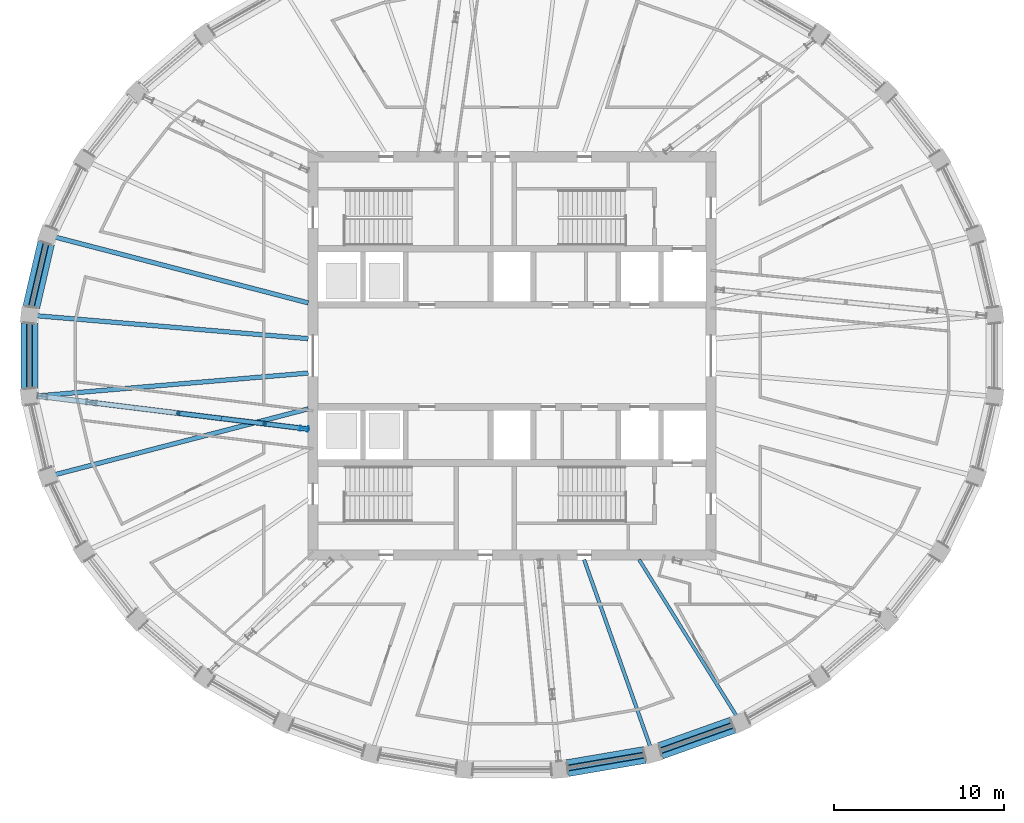
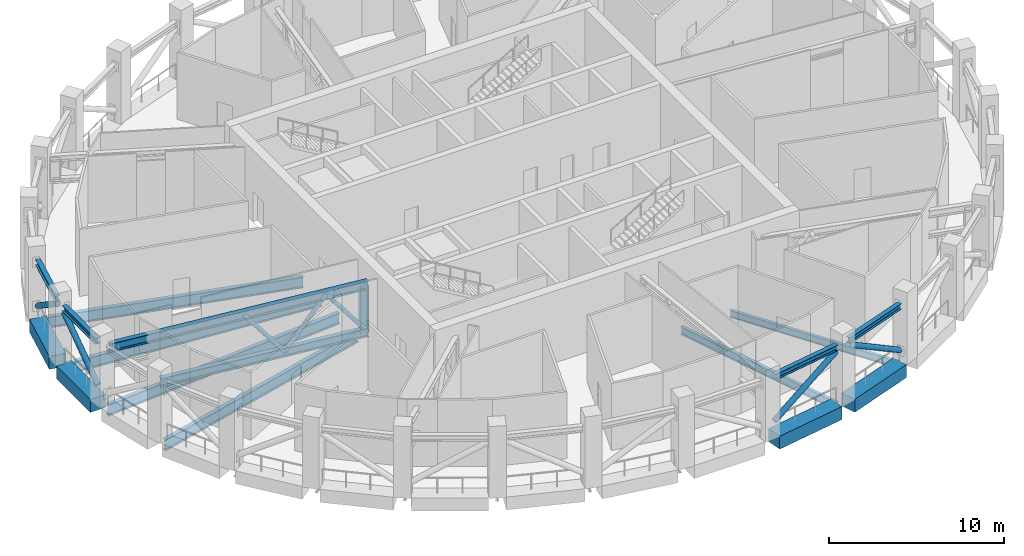
# One storey, part 3 of 20: 14 members, 10 beams.
"""IFC4 building model written with IfcOpenShell, lengths in metres."""

import ifcopenshell
import ifcopenshell.guid

model = None  # the IFC model being written
_history = None  # IfcOwnerHistory: only IFC2X3 demands one
_inside = {}  # id of a spatial element -> (the spatial element, [elements in it])
_under = {}  # id of a project, library or spatial element -> (it, [spatial elements below it])
_declared = {}  # id of a project -> (the project, [libraries it declares])
_typed = {}  # id of a type object -> (the type object, [elements of that type])
_made_of = {}  # id of a material, layer set ... -> (it, [elements and type objects made of it])


def new_model(schema):
    """Start an empty IFC model of exactly this schema.

    Asked for "IFC4X3", IfcOpenShell would pick the latest addendum, in which some entities
    have other attributes; the version numbers below select the first issue.
    IFC2X3 requires an IfcOwnerHistory on every rooted entity: one is made here for all.
    """
    global model, _history
    if schema == "IFC4X3":
        model = ifcopenshell.file(schema_version=(4, 3, 0, 0))
    else:
        model = ifcopenshell.file(schema=schema)
    _inside.clear()
    _under.clear()
    _declared.clear()
    _typed.clear()
    _made_of.clear()
    _history = None
    if model.schema == "IFC2X3":
        org = make("IfcOrganization", Name="unknown")
        user = make(
            "IfcPersonAndOrganization",
            ThePerson=make("IfcPerson", FamilyName="unknown"),
            TheOrganization=org,
        )
        app = make(
            "IfcApplication",
            ApplicationDeveloper=org,
            Version="unknown",
            ApplicationFullName="unknown",
            ApplicationIdentifier="unknown",
        )
        _history = make(
            "IfcOwnerHistory",
            OwningUser=user,
            OwningApplication=app,
            ChangeAction="ADDED",
            CreationDate=0,
        )
    return model


def make(cls, **values):
    """One entity of the class cls with the attributes given. An attribute that is None is left unset."""
    return model.create_entity(
        cls, **{name: value for name, value in values.items() if value is not None}
    )


def rooted(cls, **values):
    """An entity with a GlobalId (a new one), such as an element, a storey or a relation."""
    return make(cls, GlobalId=ifcopenshell.guid.new(), OwnerHistory=_history, **values)


def si_unit(unit_type, name, prefix=None):
    """IfcSIUnit, for example si_unit("LENGTHUNIT", "METRE", prefix="MILLI")."""
    return make("IfcSIUnit", UnitType=unit_type, Prefix=prefix, Name=name)


def assignment(units):
    """IfcUnitAssignment: the units of a project."""
    return None if units is None else make("IfcUnitAssignment", Units=units)


def point(xyz):
    """IfcCartesianPoint."""
    return None if xyz is None else make("IfcCartesianPoint", Coordinates=xyz)


def direction(xyz):
    """IfcDirection."""
    return None if xyz is None else make("IfcDirection", DirectionRatios=xyz)


def frame(location, z_axis=None, x_axis=None):
    """IfcAxis2Placement3D, a coordinate frame: its origin and axes. An axis left out is left unset."""
    return make(
        "IfcAxis2Placement3D",
        Location=point(location),
        Axis=direction(z_axis),
        RefDirection=direction(x_axis),
    )


def frame_2d(location, x_axis=None):
    """IfcAxis2Placement2D, a coordinate frame in the plane: its origin and x axis."""
    return make(
        "IfcAxis2Placement2D", Location=point(location), RefDirection=direction(x_axis)
    )


def origin():
    """The frame at (0, 0, 0) with its axes left unset."""
    return frame((0.0, 0.0, 0.0))


def origin_2d():
    """The frame at (0, 0) in the plane with its x axis left unset."""
    return frame_2d((0.0, 0.0))


def place(relative_to, where):
    """IfcLocalPlacement: puts the frame where relative to a parent placement (None: the world)."""
    return make(
        "IfcLocalPlacement", PlacementRelTo=relative_to, RelativePlacement=where
    )


def context(
    kind, dimensions, precision=None, world=None, true_north=None, identifier=None
):
    """IfcGeometricRepresentationContext, for example the 3D "Model" context."""
    return make(
        "IfcGeometricRepresentationContext",
        ContextIdentifier=identifier,
        ContextType=kind,
        CoordinateSpaceDimension=dimensions,
        Precision=precision,
        WorldCoordinateSystem=world,
        TrueNorth=true_north,
    )


def subcontext(parent, identifier, kind, view, scale=None):
    """IfcGeometricRepresentationSubContext, for example "Body" below "Model"."""
    return make(
        "IfcGeometricRepresentationSubContext",
        ContextIdentifier=identifier,
        ContextType=kind,
        ParentContext=parent,
        TargetScale=scale,
        TargetView=view,
    )


def project(units=None, contexts=None):
    """IfcProject with its units and contexts."""
    return rooted(
        "IfcProject",
        Name="project",
        RepresentationContexts=contexts,
        UnitsInContext=assignment(units),
    )


def spatial(cls, under=None, at=None, **own):
    """A site, building, storey or space (cls), placed at a placement, below another one or the project."""
    s = rooted(cls, ObjectPlacement=at, **own)
    if under is not None:
        _under.setdefault(under.id(), (under, []))[1].append(s)
    return s


def profile(cls, at=None, kind="AREA", **sizes):
    """A parametric profile (cls). Its sizes go by their IFC names, for example OverallWidth=200.0."""
    return make(cls, ProfileType=kind, Position=at, **sizes)


def rectangle(**sizes):
    """IfcRectangleProfileDef."""
    return profile("IfcRectangleProfileDef", **sizes)


def hollow_circle(**sizes):
    """IfcCircleHollowProfileDef."""
    return profile("IfcCircleHollowProfileDef", **sizes)


def i_section(**sizes):
    """IfcIShapeProfileDef."""
    return profile("IfcIShapeProfileDef", **sizes)


def extrude(swept, where, along, depth):
    """IfcExtrudedAreaSolid: the profile swept, set in the frame where, extruded along a direction by depth."""
    return make(
        "IfcExtrudedAreaSolid",
        SweptArea=swept,
        Position=where,
        ExtrudedDirection=direction(along),
        Depth=depth,
    )


def shape(context_of_items, identifier, shape_type, items):
    """IfcShapeRepresentation: the items that make up one representation, for example the "Body"."""
    return make(
        "IfcShapeRepresentation",
        ContextOfItems=context_of_items,
        RepresentationIdentifier=identifier,
        RepresentationType=shape_type,
        Items=items,
    )


def material(Name=None, Category=None):
    """IfcMaterial."""
    return make("IfcMaterial", Name=Name, Category=Category)


def material_profile(
    of_material, cross_section, Name=None, Category=None, Priority=None
):
    """IfcMaterialProfile: a cross section and its material."""
    return make(
        "IfcMaterialProfile",
        Name=Name,
        Material=of_material,
        Profile=cross_section,
        Priority=Priority,
        Category=Category,
    )


def profile_set(profiles, Name=None, composite=None):
    """IfcMaterialProfileSet."""
    return make(
        "IfcMaterialProfileSet",
        Name=Name,
        MaterialProfiles=profiles,
        CompositeProfile=composite,
    )


def made_of(thing, what):
    """Note that an element or type object is made of a material, layer set ...; save() writes the relation."""
    if what is not None:
        _made_of.setdefault(what.id(), (what, []))[1].append(thing)
    return thing


def type_object(cls, material=None, **own):
    """A type object (cls), such as IfcWallType, which elements share."""
    return made_of(rooted(cls, **own), material)


def element(
    cls,
    number,
    at=None,
    inside=None,
    cuts=None,
    type_object=None,
    material=None,
    context=None,
    identifier="Body",
    shape_type=None,
    held_by="IfcProductDefinitionShape",
    body=None,
    shapes=None,
    **own,
):
    """One element of the class cls, such as IfcWall. Its Tag is "e" and its number.

    at: its placement. inside: the storey or other place that contains it. cuts: it is an
    opening in that element (IfcRelVoidsElement). A single representation is given by context,
    identifier, shape_type and body (its items); several are given by shapes. held_by: the class
    of the entity that holds the representations. save() writes the other relations.
    """
    e = rooted(cls, Tag="e%d" % number, ObjectPlacement=at, **own)
    if body is not None:
        shapes = [shape(context, identifier, shape_type, body)]
    if shapes is not None:
        e.Representation = make(held_by, Representations=shapes)
    if inside is not None:
        _inside.setdefault(inside.id(), (inside, []))[1].append(e)
    if cuts is not None:
        rooted(
            "IfcRelVoidsElement", RelatingBuildingElement=cuts, RelatedOpeningElement=e
        )
    if type_object is not None:
        _typed.setdefault(type_object.id(), (type_object, []))[1].append(e)
    return made_of(e, material)


def aggregate(whole, parts):
    """IfcRelAggregates: a whole, such as a stair, and the parts it consists of."""
    return rooted("IfcRelAggregates", RelatingObject=whole, RelatedObjects=parts)


def save(model, path):
    """Write the relations noted so far, then the file.

    IfcRelAggregates (storeys below a building ...), IfcRelContainedInSpatialStructure (elements
    in a storey), IfcRelDefinesByType, IfcRelAssociatesMaterial and IfcRelDeclares: one each for
    every whole, place, type object, material and project.
    """
    for whole, parts in _under.values():
        aggregate(whole, parts)
    for where, things in _inside.values():
        rooted(
            "IfcRelContainedInSpatialStructure",
            RelatedElements=things,
            RelatingStructure=where,
        )
    for kind, things in _typed.values():
        rooted("IfcRelDefinesByType", RelatedObjects=things, RelatingType=kind)
    for what, things in _made_of.values():
        rooted("IfcRelAssociatesMaterial", RelatedObjects=things, RelatingMaterial=what)
    for by, libraries in _declared.values():
        rooted("IfcRelDeclares", RelatingContext=by, RelatedDefinitions=libraries)
    model.write(path)


model = new_model("IFC4")

# Units and contexts
model_context = context("Model", 3, precision=1e-05, world=origin(), true_north=direction((0.0, 1.0)))
body_context = subcontext(model_context, "Body", "Model", "MODEL_VIEW")
ifc_project = project(units=[si_unit("LENGTHUNIT", "METRE"), si_unit("AREAUNIT", "SQUARE_METRE"), si_unit("VOLUMEUNIT", "CUBIC_METRE"), si_unit("PLANEANGLEUNIT", "RADIAN"), si_unit("MASSUNIT", "GRAM", prefix="KILO")], contexts=[model_context])

# Site, building, storey
site_placement = place(None, origin())
site = spatial("IfcSite", under=ifc_project, at=site_placement, CompositionType="ELEMENT")
building_placement = place(site_placement, origin())
building = spatial("IfcBuilding", under=site, at=building_placement, Name="Halqa Exchange Tower", CompositionType="ELEMENT")
storey_placement = place(building_placement, frame((0.0, 0.0, 328.300048828125)))
storey = spatial("IfcBuildingStorey", under=building, at=storey_placement, Name="L77", CompositionType="ELEMENT", Elevation=328.300048828125)

# Members
ifc_material_1 = material(Name="Steel S355", Category="steel")
ifc_material_profile_1 = material_profile(ifc_material_1, i_section(OverallWidth=0.300048828125, OverallDepth=0.39990234375, WebThickness=0.013427734375, FlangeThickness=0.02392578125, FilletRadius=0.027099609375, at=origin_2d()), Name="HEB 400")
ifc_profile_set_1 = profile_set([ifc_material_profile_1], Name="Steel S355")
member_type_1 = type_object("IfcMemberType", Name="Belt truss chord HEB 400", PredefinedType="CHORD", material=ifc_profile_set_1)
member_1_placement = place(storey_placement, frame((-27.38037109375, 6.6279296875, 3.89990234375), z_axis=(-0.226024956328, -0.974121511474, 0.0), x_axis=(0.974121511474, -0.226024956328, 0.0)))
element("IfcMember", 1, at=member_1_placement, inside=storey, type_object=member_type_1, Name="Belt chord 15", PredefinedType="CHORD", context=body_context, shape_type="SweptSolid", body=[
    extrude(i_section(OverallWidth=0.300048828125, OverallDepth=0.39990234375, WebThickness=0.013427734375, FlangeThickness=0.02392578125, FilletRadius=0.027099609375, at=origin_2d()), origin(), (0.0, 0.0, 1.0), 3.8701171875),
])
member_2_placement = place(storey_placement, frame((-28.36279296875, 1.91845703125, 3.89990234375), z_axis=(0.0, -1.0, 0.0), x_axis=(1.0, 0.0, 0.0)))
element("IfcMember", 2, at=member_2_placement, inside=storey, type_object=member_type_1, Name="Belt chord 16", PredefinedType="CHORD", context=body_context, shape_type="SweptSolid", body=[
    extrude(i_section(OverallWidth=0.300048828125, OverallDepth=0.39990234375, WebThickness=0.013427734375, FlangeThickness=0.02392578125, FilletRadius=0.027099609375, at=origin_2d()), origin(), (0.0, 0.0, 1.0), 3.8369140625),
])
member_3_placement = place(storey_placement, frame((3.260986328125, -24.231201171875, 3.89990234375), z_axis=(0.985773042695, 0.168081849987, 0.0), x_axis=(-0.168081849987, 0.985773042695, 0.0)))
element("IfcMember", 3, at=member_3_placement, inside=storey, type_object=member_type_1, Name="Belt chord 25", PredefinedType="CHORD", context=body_context, shape_type="SweptSolid", body=[
    extrude(i_section(OverallWidth=0.300048828125, OverallDepth=0.39990234375, WebThickness=0.013427734375, FlangeThickness=0.02392578125, FilletRadius=0.027099609375, at=origin_2d()), origin(), (0.0, 0.0, 1.0), 4.6103515625),
])
member_4_placement = place(storey_placement, frame((8.72021484375, -23.218017578125, 3.89990234375), z_axis=(0.942357563156, 0.334607565908, 0.0), x_axis=(-0.334607565908, 0.942357563156, 0.0)))
element("IfcMember", 4, at=member_4_placement, inside=storey, type_object=member_type_1, Name="Belt chord 26", PredefinedType="CHORD", context=body_context, shape_type="SweptSolid", body=[
    extrude(i_section(OverallWidth=0.300048828125, OverallDepth=0.39990234375, WebThickness=0.013427734375, FlangeThickness=0.02392578125, FilletRadius=0.027099609375, at=origin_2d()), origin(), (0.0, 0.0, 1.0), 4.528076171875),
])
ifc_material_profile_2 = material_profile(ifc_material_1, hollow_circle(Radius=0.177734375, WallThickness=0.02001953125, at=origin_2d()), Name="CHS 355.6x20")
ifc_profile_set_2 = profile_set([ifc_material_profile_2], Name="Steel S355")
member_type_2 = type_object("IfcMemberType", Name="Belt truss diagonal CHS 355.6x20", PredefinedType="BRACE", material=ifc_profile_set_2)
member_5_placement = place(storey_placement, frame((-27.380126953125, 6.62890625, 0.834716796875), z_axis=(-0.184739014673, -0.796104055143, 0.576272357347), x_axis=(0.974116294117, -0.226047440896, 0.0)))
element("IfcMember", 5, at=member_5_placement, inside=storey, type_object=member_type_2, Name="Belt diagonal 15", PredefinedType="BRACE", context=body_context, shape_type="SweptSolid", body=[
    extrude(hollow_circle(Radius=0.177734375, WallThickness=0.02001953125, at=origin_2d()), origin(), (0.0, 0.0, 1.0), 4.73779296875),
])
member_6_placement = place(storey_placement, frame((-28.36279296875, 1.919189453125, 3.5625), z_axis=(0.0, -0.815398163064, -0.578900540397), x_axis=(1.0, 0.0, 0.0)))
element("IfcMember", 6, at=member_6_placement, inside=storey, type_object=member_type_2, Name="Belt diagonal 16", PredefinedType="BRACE", context=body_context, shape_type="SweptSolid", body=[
    extrude(hollow_circle(Radius=0.177734375, WallThickness=0.02001953125, at=origin_2d()), origin(), (0.0, 0.0, 1.0), 4.707275390625),
])
member_7_placement = place(storey_placement, frame((3.26123046875, -24.231201171875, 0.7900390625), z_axis=(0.840929853299, 0.14336290697, 0.521808450234), x_axis=(-0.16805670886, 0.98577732912, 0.0)))
element("IfcMember", 7, at=member_7_placement, inside=storey, type_object=member_type_2, Name="Belt diagonal 25", PredefinedType="BRACE", context=body_context, shape_type="SweptSolid", body=[
    extrude(hollow_circle(Radius=0.177734375, WallThickness=0.02001953125, at=origin_2d()), origin(), (0.0, 0.0, 1.0), 5.403564453125),
])
member_8_placement = place(storey_placement, frame((8.71875, -23.218505859375, 3.6064453125), z_axis=(0.80064623443, 0.284277479463, -0.527401101594), x_axis=(-0.33459508249, 0.942361995612, 0.0)))
element("IfcMember", 8, at=member_8_placement, inside=storey, type_object=member_type_2, Name="Belt diagonal 26", PredefinedType="BRACE", context=body_context, shape_type="SweptSolid", body=[
    extrude(hollow_circle(Radius=0.177734375, WallThickness=0.02001953125, at=origin_2d()), origin(), (0.0, 0.0, 1.0), 5.333251953125),
])

# Beams
ifc_material_profile_3 = material_profile(ifc_material_1, i_section(OverallWidth=0.199951171875, OverallDepth=0.5, WebThickness=0.01025390625, FlangeThickness=0.01611328125, FilletRadius=0.02099609375, at=origin_2d()), Name="IPE 500")
ifc_profile_set_3 = profile_set([ifc_material_profile_3], Name="Steel S355")
beam_type_1 = type_object("IfcBeamType", Name="Floor beam IPE 500", PredefinedType="BEAM", material=ifc_profile_set_3)
beam_1_placement = place(storey_placement, frame((7.4658203125, -11.97216796875, -0.60009765625), z_axis=(0.529137326003, -0.848536204431, 0.0), x_axis=(0.848536204431, 0.529137326003, 0.0)))
element("IfcBeam", 9, at=beam_1_placement, inside=storey, type_object=beam_type_1, Name="Radial beam 27", PredefinedType="BEAM", context=body_context, shape_type="SweptSolid", body=[
    extrude(i_section(OverallWidth=0.199951171875, OverallDepth=0.5, WebThickness=0.01025390625, FlangeThickness=0.01611328125, FilletRadius=0.02099609375, at=origin_2d()), origin(), (0.0, 0.0, 1.0), 10.904541015625),
])
ifc_material_profile_4 = material_profile(ifc_material_1, i_section(OverallWidth=0.2099609375, OverallDepth=0.550048828125, WebThickness=0.010986328125, FlangeThickness=0.01708984375, FilletRadius=0.02392578125, at=origin_2d()), Name="IPE 550")
ifc_profile_set_4 = profile_set([ifc_material_profile_4], Name="Steel S355")
beam_type_2 = type_object("IfcBeamType", Name="Floor beam IPE 550", PredefinedType="BEAM", material=ifc_profile_set_4)
beam_2_placement = place(storey_placement, frame((4.23681640625, -11.971923828125, -0.625), z_axis=(0.333622781905, -0.942706656067, 0.0), x_axis=(0.942706656067, 0.333622781905, 0.0)))
element("IfcBeam", 10, at=beam_2_placement, inside=storey, type_object=beam_type_2, Name="Radial beam 26", PredefinedType="BEAM", context=body_context, shape_type="SweptSolid", body=[
    extrude(i_section(OverallWidth=0.2099609375, OverallDepth=0.550048828125, WebThickness=0.010986328125, FlangeThickness=0.01708984375, FilletRadius=0.02392578125, at=origin_2d()), origin(), (0.0, 0.0, 1.0), 11.723876953125),
])
ifc_material_profile_5 = material_profile(ifc_material_1, i_section(OverallWidth=0.26806640625, OverallDepth=0.77001953125, WebThickness=0.015625, FlangeThickness=0.025390625, FilletRadius=0.01708984375, at=origin_2d()), Name="IPE 750x196")
ifc_profile_set_5 = profile_set([ifc_material_profile_5], Name="Steel S355")
beam_type_3 = type_object("IfcBeamType", Name="Floor beam IPE 750x196", PredefinedType="BEAM", material=ifc_profile_set_5)
beam_3_placement = place(storey_placement, frame((-11.97119140625, 3.112548828125, -0.735107421875), z_axis=(-0.967819348283, 0.251645999551, 0.0), x_axis=(-0.251645999551, -0.967819348283, 0.0)))
element("IfcBeam", 11, at=beam_3_placement, inside=storey, type_object=beam_type_3, Name="Radial beam 15", PredefinedType="BEAM", context=body_context, shape_type="SweptSolid", body=[
    extrude(i_section(OverallWidth=0.26806640625, OverallDepth=0.77001953125, WebThickness=0.015625, FlangeThickness=0.025390625, FilletRadius=0.01708984375, at=origin_2d()), origin(), (0.0, 0.0, 1.0), 15.4365234375),
])
for number, where, z_axis, x_axis, name in (
    (12, (-11.972900390625, 1.0107421875, -0.735107421875), (-0.996455843657, 0.08411748713, 0.0), (-0.08411748713, -0.996455843657, 0.0), "Radial beam 16"),
    (13, (-11.972900390625, -1.0107421875, -0.735107421875), (-0.996455843657, -0.08411748713, 0.0), (0.08411748713, -0.996455843657, 0.0), "Radial beam 17"),
):
    element("IfcBeam", number, at=place(storey_placement, frame(where, z_axis=z_axis, x_axis=x_axis)), inside=storey, type_object=beam_type_3, Name=name, PredefinedType="BEAM", context=body_context, shape_type="SweptSolid", body=[
        extrude(i_section(OverallWidth=0.26806640625, OverallDepth=0.77001953125, WebThickness=0.015625, FlangeThickness=0.025390625, FilletRadius=0.01708984375, at=origin_2d()), origin(), (0.0, 0.0, 1.0), 16.076171875),
    ])
beam_4_placement = place(storey_placement, frame((-11.97119140625, -3.112548828125, -0.735107421875), z_axis=(-0.967819348283, -0.251645999551, 0.0), x_axis=(0.251645999551, -0.967819348283, 0.0)))
element("IfcBeam", 14, at=beam_4_placement, inside=storey, type_object=beam_type_3, Name="Radial beam 18", PredefinedType="BEAM", context=body_context, shape_type="SweptSolid", body=[
    extrude(i_section(OverallWidth=0.26806640625, OverallDepth=0.77001953125, WebThickness=0.015625, FlangeThickness=0.025390625, FilletRadius=0.01708984375, at=origin_2d()), origin(), (0.0, 0.0, 1.0), 15.4365234375),
])

# Members
ifc_material_profile_6 = material_profile(ifc_material_1, i_section(OverallWidth=0.300048828125, OverallDepth=0.60009765625, WebThickness=0.015380859375, FlangeThickness=0.030029296875, FilletRadius=0.027099609375, at=origin_2d()), Name="HEB 600")
ifc_profile_set_6 = profile_set([ifc_material_profile_6], Name="Steel S355")
member_type_3 = type_object("IfcMemberType", Name="Outrigger chord HEB 600", PredefinedType="CHORD", material=ifc_profile_set_6)
member_9_placement = place(storey_placement, frame((-11.97314453125, -4.30322265625, 0.300048828125), z_axis=(-0.992591481709, 0.121499590278, 0.0), x_axis=(-0.121499590278, -0.992591481709, 0.0)))
element("IfcMember", 15, at=member_9_placement, inside=storey, type_object=member_type_3, Name="Outrigger 5 chord", PredefinedType="CHORD", context=body_context, shape_type="SweptSolid", body=[
    extrude(i_section(OverallWidth=0.300048828125, OverallDepth=0.60009765625, WebThickness=0.015380859375, FlangeThickness=0.030029296875, FilletRadius=0.027099609375, at=origin_2d()), origin(), (0.0, 0.0, 1.0), 12.862060546875),
])
member_10_placement = place(storey_placement, frame((-11.97314453125, -4.30322265625, 3.579833984375), z_axis=(-0.99258991144, 0.121512417918, 0.0), x_axis=(-0.121512417918, -0.99258991144, 0.0)))
element("IfcMember", 16, at=member_10_placement, inside=storey, type_object=member_type_3, Name="Outrigger 5 chord", PredefinedType="CHORD", context=body_context, shape_type="SweptSolid", body=[
    extrude(i_section(OverallWidth=0.300048828125, OverallDepth=0.60009765625, WebThickness=0.015380859375, FlangeThickness=0.030029296875, FilletRadius=0.027099609375, at=origin_2d()), origin(), (0.0, 0.0, 1.0), 16.037353515625),
])
ifc_material_profile_7 = material_profile(ifc_material_1, hollow_circle(Radius=0.136474609375, WallThickness=0.01611328125, at=origin_2d()), Name="CHS 273x16")
ifc_profile_set_7 = profile_set([ifc_material_profile_7], Name="Steel S355")
member_type_4 = type_object("IfcMemberType", Name="Outrigger diagonal CHS 273x16", PredefinedType="BRACE", material=ifc_profile_set_7)
for number, where, z_axis, x_axis, name in (
    (17, (-12.0, -4.300048828125, 0.300048828125), (-0.610952714949, 0.074799761049, 0.788125482295), (-0.121523942594, -0.992588500526, 0.0), "Outrigger 5 diagonal"),
    (18, (-14.54248046875, -3.98876953125, 3.579833984375), (-0.610989481413, 0.074797080058, -0.788097234114), (-0.12151244672, -0.992589907914, 0.0), "Outrigger 5 diagonal"),
    (19, (-17.085205078125, -3.677490234375, 0.300048828125), (-0.610989481413, 0.074797080058, 0.788097234114), (-0.12151244672, -0.992589907914, 0.0), "Outrigger 5 diagonal"),
):
    element("IfcMember", number, at=place(storey_placement, frame(where, z_axis=z_axis, x_axis=x_axis)), inside=storey, type_object=member_type_4, Name=name, PredefinedType="BRACE", context=body_context, shape_type="SweptSolid", body=[
        extrude(hollow_circle(Radius=0.136474609375, WallThickness=0.01611328125, at=origin_2d()), origin(), (0.0, 0.0, 1.0), 4.16162109375),
    ])
ifc_material_profile_8 = material_profile(ifc_material_1, i_section(OverallWidth=0.300048828125, OverallDepth=0.5, WebThickness=0.014404296875, FlangeThickness=0.028076171875, FilletRadius=0.027099609375, at=origin_2d()), Name="HEB 500")
ifc_profile_set_8 = profile_set([ifc_material_profile_8], Name="Steel S355")
member_type_5 = type_object("IfcMemberType", Name="Outrigger post HEB 500", PredefinedType="POST", material=ifc_profile_set_8)
member_11_placement = place(storey_placement, frame((-12.22119140625, -4.27294921875, 0.300048828125), z_axis=(0.0, 0.0, 1.0), x_axis=(-0.121852020188, -0.992548278511, 0.0)))
element("IfcMember", 20, at=member_11_placement, inside=storey, type_object=member_type_5, Name="Outrigger 5 post", PredefinedType="POST", context=body_context, shape_type="SweptSolid", body=[
    extrude(i_section(OverallWidth=0.300048828125, OverallDepth=0.5, WebThickness=0.014404296875, FlangeThickness=0.028076171875, FilletRadius=0.027099609375, at=origin_2d()), origin(), (0.0, 0.0, 1.0), 3.27978515625),
])

# Beams
ifc_material_2 = material(Name="Concrete C60/75", Category="concrete")
ifc_material_profile_9 = material_profile(ifc_material_2, rectangle(XDim=1.0, YDim=0.89990234375, at=origin_2d()), Name="1000 x 900")
ifc_profile_set_9 = profile_set([ifc_material_profile_9], Name="Concrete C60/75")
beam_type_4 = type_object("IfcBeamType", Name="RC spandrel beam 1000 x 900 C60/75", PredefinedType="SPANDREL", material=ifc_profile_set_9)
beam_5_placement = place(storey_placement, frame((-27.3798828125, 6.629150390625, -0.449951171875), z_axis=(-0.226093384766, -0.974105631523, 0.0), x_axis=(0.974105631523, -0.226093384766, 0.0)))
element("IfcBeam", 21, at=beam_5_placement, inside=storey, type_object=beam_type_4, Name="Spandrel 15", PredefinedType="SPANDREL", context=body_context, shape_type="SweptSolid", body=[
    extrude(rectangle(XDim=1.0, YDim=0.89990234375, at=origin_2d()), origin(), (0.0, 0.0, 1.0), 3.872314453125),
])
beam_6_placement = place(storey_placement, frame((-28.36279296875, 1.919189453125, -0.449951171875), z_axis=(0.0, -1.0, 0.0), x_axis=(1.0, 0.0, 0.0)))
element("IfcBeam", 22, at=beam_6_placement, inside=storey, type_object=beam_type_4, Name="Spandrel 16", PredefinedType="SPANDREL", context=body_context, shape_type="SweptSolid", body=[
    extrude(rectangle(XDim=1.0, YDim=0.89990234375, at=origin_2d()), origin(), (0.0, 0.0, 1.0), 3.83837890625),
])
beam_7_placement = place(storey_placement, frame((3.2607421875, -24.231201171875, -0.449951171875), z_axis=(0.985773042695, 0.168081849987, 0.0), x_axis=(-0.168081849987, 0.985773042695, 0.0)))
element("IfcBeam", 23, at=beam_7_placement, inside=storey, type_object=beam_type_4, Name="Spandrel 25", PredefinedType="SPANDREL", context=body_context, shape_type="SweptSolid", body=[
    extrude(rectangle(XDim=1.0, YDim=0.89990234375, at=origin_2d()), origin(), (0.0, 0.0, 1.0), 4.6103515625),
])
beam_8_placement = place(storey_placement, frame((8.718994140625, -23.218505859375, -0.449951171875), z_axis=(0.94236088808, 0.334598201755, 0.0), x_axis=(-0.334598201755, 0.94236088808, 0.0)))
element("IfcBeam", 24, at=beam_8_placement, inside=storey, type_object=beam_type_4, Name="Spandrel 26", PredefinedType="SPANDREL", context=body_context, shape_type="SweptSolid", body=[
    extrude(rectangle(XDim=1.0, YDim=0.89990234375, at=origin_2d()), origin(), (0.0, 0.0, 1.0), 4.530517578125),
])

save(model, "model.ifc")
